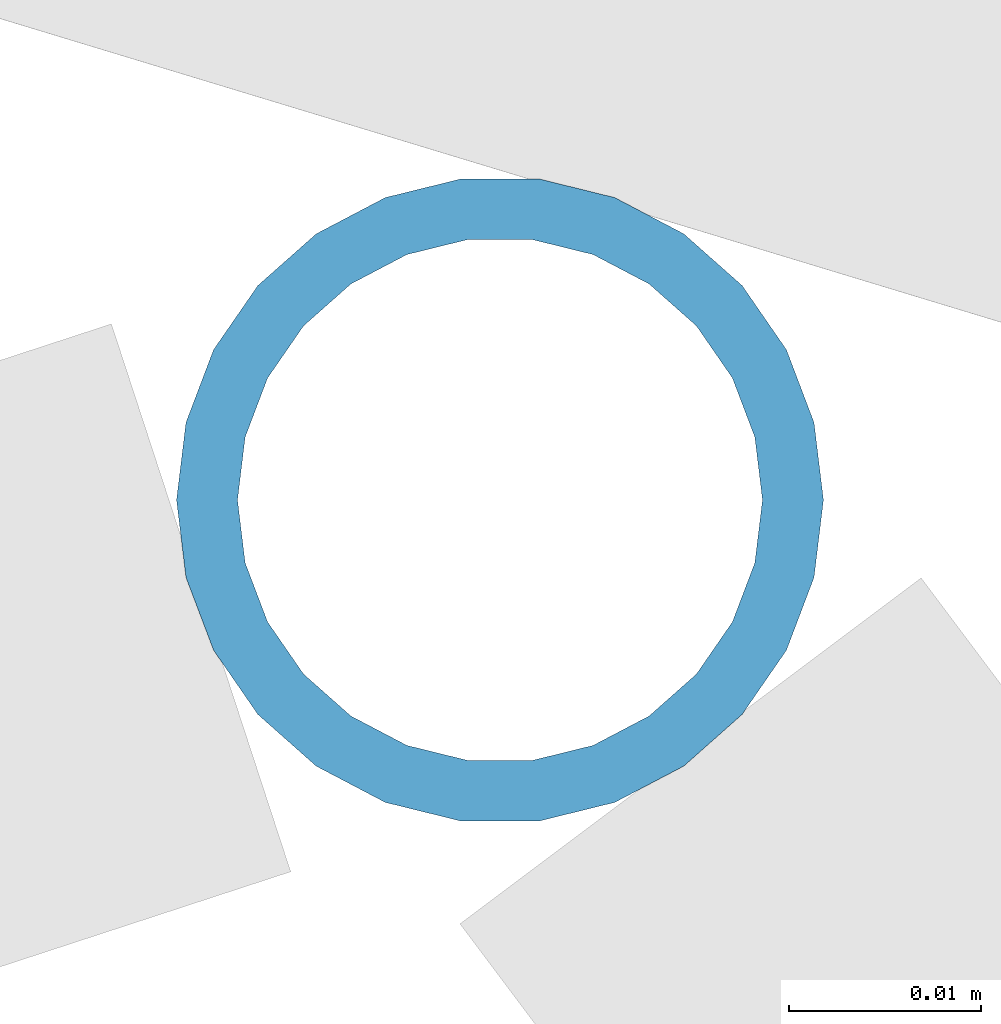
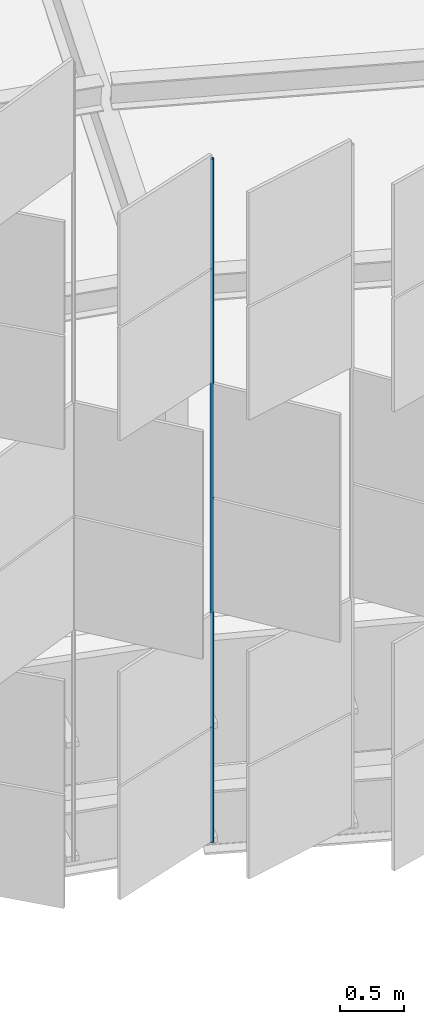
# One storey, part 242 of 483: 1 discrete accessory.
"""IFC4 building model written with IfcOpenShell, lengths in metres."""

from ifc_helpers import new_model, si_unit, direction, frame, origin, origin_2d, place, context, subcontext, project, spatial, hollow_circle, extrude, material, material_profile, profile_set, type_object, element, save


model = new_model("IFC4")

# Units and contexts
model_context = context("Model", 3, precision=1e-05, world=origin(), true_north=direction((0.0, 1.0)))
body_context = subcontext(model_context, "Body", "Model", "MODEL_VIEW")
ifc_project = project(units=[si_unit("LENGTHUNIT", "METRE"), si_unit("AREAUNIT", "SQUARE_METRE"), si_unit("VOLUMEUNIT", "CUBIC_METRE"), si_unit("PLANEANGLEUNIT", "RADIAN"), si_unit("MASSUNIT", "GRAM", prefix="KILO")], contexts=[model_context])

# Site, building, storey
site_placement = place(None, origin())
site = spatial("IfcSite", under=ifc_project, at=site_placement, CompositionType="ELEMENT")
building_placement = place(site_placement, origin())
building = spatial("IfcBuilding", under=site, at=building_placement, Name="Parallax Yard Mobility Hub", CompositionType="ELEMENT")
storey_placement = place(building_placement, frame((0.0, 0.0, 13.199951171875)))
storey = spatial("IfcBuildingStorey", under=building, at=storey_placement, Name="L04", CompositionType="ELEMENT", Elevation=13.199951171875)

# Discrete accessory
ifc_material = material(Name="Steel ASTM A500 Gr C, hot-dip galvanised", Category="steel")
ifc_material_profile = material_profile(ifc_material, hollow_circle(Radius=0.016845703125, WallThickness=0.003173828125, at=origin_2d()), Name="CHS 33.7x3.2")
ifc_profile_set = profile_set([ifc_material_profile], Name="Steel ASTM A500 Gr C, hot-dip galvanised")
discrete_accessory_type = type_object("IfcDiscreteAccessoryType", Name="Hinge post CHS 33.7x3.2", PredefinedType="BRACKET", material=ifc_profile_set)
discrete_accessory_placement = place(storey_placement, frame((179.154296875, 110.436279296875, 0.0), z_axis=(0.0, 0.0, 1.0), x_axis=(1.0, 0.0, 0.0)))
element("IfcDiscreteAccessory", 1, at=discrete_accessory_placement, inside=storey, type_object=discrete_accessory_type, Name="Hinge post bay 19.1 level L04", PredefinedType="BRACKET", context=body_context, shape_type="SweptSolid", body=[
    extrude(hollow_circle(Radius=0.016845703125, WallThickness=0.003173828125, at=origin_2d()), origin(), (0.0, 0.0, 1.0), 6.550048828125),
])

save(model, "model.ifc")
